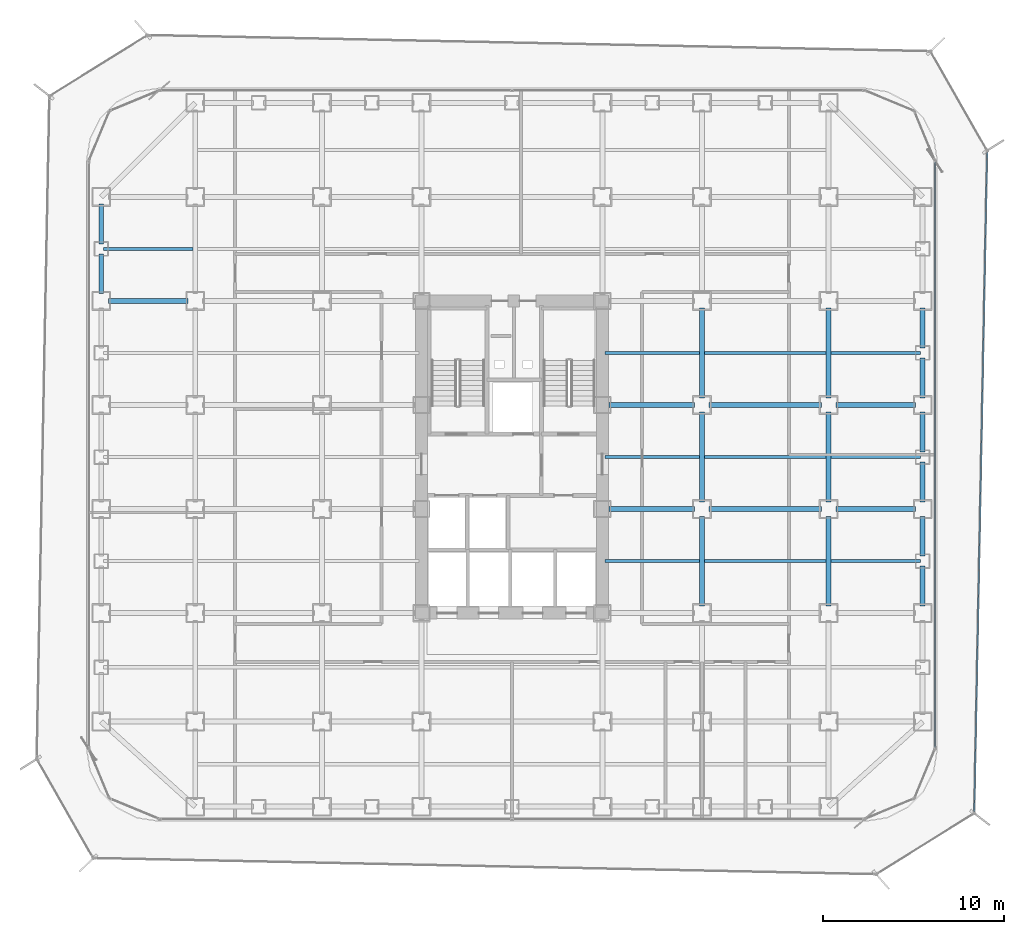
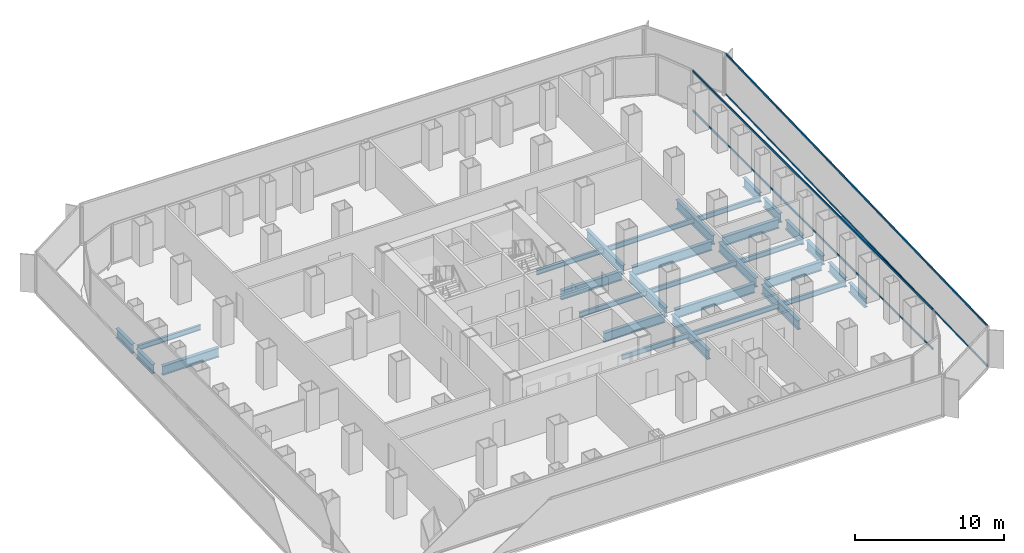
# One storey, part 9 of 21: 31 beams, 4 members, 2 elements without a shape of their own.
"""IFC4 building model written with IfcOpenShell, lengths in metres."""

from ifc_helpers import new_model, si_unit, direction, frame, origin, origin_2d, place, context, subcontext, project, spatial, hollow_rectangle, i_section, extrude, source, transform, mapped, material, layer, layer_set, material_profile, profile_set, type_object, element, aggregate, save


model = new_model("IFC4")

# Units and contexts
model_context = context("Model", 3, precision=1e-05, world=origin(), true_north=direction((0.0, 1.0)))
body_context = subcontext(model_context, "Body", "Model", "MODEL_VIEW")
ifc_project = project(units=[si_unit("LENGTHUNIT", "METRE"), si_unit("AREAUNIT", "SQUARE_METRE"), si_unit("VOLUMEUNIT", "CUBIC_METRE"), si_unit("PLANEANGLEUNIT", "RADIAN"), si_unit("MASSUNIT", "GRAM", prefix="KILO")], contexts=[model_context])

# Site, building, storey
site_placement = place(None, origin())
site = spatial("IfcSite", under=ifc_project, at=site_placement, CompositionType="ELEMENT")
building_placement = place(site_placement, origin())
building = spatial("IfcBuilding", under=site, at=building_placement, Name="Kolveth Station Tower", CompositionType="ELEMENT")
storey_placement = place(building_placement, frame((0.0, 0.0, 26.10009765625)))
storey = spatial("IfcBuildingStorey", under=building, at=storey_placement, Name="L06", CompositionType="ELEMENT", Elevation=26.10009765625)

# Beams
ifc_material_1 = material(Name="Steel S355", Category="steel")
ifc_material_profile_1 = material_profile(ifc_material_1, i_section(OverallWidth=0.26904296875, OverallDepth=0.77490234375, WebThickness=0.01708984375, FlangeThickness=0.0283203125, at=origin_2d()), Name="W760x220")
ifc_profile_set_1 = profile_set([ifc_material_profile_1], Name="Steel S355")
beam_type_1 = type_object("IfcBeamType", Name="Beam_SP1", PredefinedType="SPANDREL", material=ifc_profile_set_1)
shared_shape_1 = source(origin(), body_context, "Body", "SweptSolid", [
    extrude(i_section(OverallWidth=0.26904296875, OverallDepth=0.77490234375, WebThickness=0.01708984375, FlangeThickness=0.0283203125, at=origin_2d()), origin(), (0.0, 0.0, 1.0), 2.2001953125),
])
for number, where, z_axis, x_axis, name in (
    (1, (0.800048828125, 31.89990234375, -0.66748046875), (0.0, 1.0, 0.0), (-1.0, 0.0, 0.0), "L06 Perimeter Spandrel BM-L06-PW-10"),
    (2, (46.199951171875, 11.89990234375, -0.66748046875), (0.0, 1.0, 0.0), (-1.0, 0.0, 0.0), "L06 Perimeter Spandrel BM-L06-PE-3"),
    (3, (46.199951171875, 20.39990234375, -0.66748046875), (0.0, 1.0, 0.0), (-1.0, 0.0, 0.0), "L06 Perimeter Spandrel BM-L06-PE-6"),
    (4, (46.199951171875, 23.39990234375, -0.66748046875), (0.0, 1.0, 0.0), (-1.0, 0.0, 0.0), "L06 Perimeter Spandrel BM-L06-PE-7"),
):
    element("IfcBeam", number, at=place(storey_placement, frame(where, z_axis=z_axis, x_axis=x_axis)), inside=storey, type_object=beam_type_1, Name=name, PredefinedType="SPANDREL", context=body_context, shape_type="MappedRepresentation", body=[
        mapped(shared_shape_1, transform((0.0, 0.0, 0.0), x_axis=(1.0, 0.0, 0.0), y_axis=(0.0, 1.0, 0.0), z_axis=(0.0, 0.0, 1.0), scale=1.0)),
    ])
shared_shape_2 = source(origin(), body_context, "Body", "SweptSolid", [
    extrude(i_section(OverallWidth=0.26904296875, OverallDepth=0.77490234375, WebThickness=0.01708984375, FlangeThickness=0.0283203125, at=origin_2d()), origin(), (0.0, 0.0, 1.0), 2.190185546875),
])
for number, where, z_axis, x_axis, name in (
    (5, (0.800048828125, 29.14990234375, -0.66748046875), (0.0, 1.0, 0.0), (-1.0, 0.0, 0.0), "L06 Perimeter Spandrel BM-L06-PW-9"),
    (6, (46.199951171875, 14.659912109375, -0.66748046875), (0.0, 1.0, 0.0), (-1.0, 0.0, 0.0), "L06 Perimeter Spandrel BM-L06-PE-4"),
    (7, (46.199951171875, 17.64990234375, -0.66748046875), (0.0, 1.0, 0.0), (-1.0, 0.0, 0.0), "L06 Perimeter Spandrel BM-L06-PE-5"),
    (8, (46.199951171875, 26.159912109375, -0.66748046875), (0.0, 1.0, 0.0), (-1.0, 0.0, 0.0), "L06 Perimeter Spandrel BM-L06-PE-8"),
):
    element("IfcBeam", number, at=place(storey_placement, frame(where, z_axis=z_axis, x_axis=x_axis)), inside=storey, type_object=beam_type_1, Name=name, PredefinedType="SPANDREL", context=body_context, shape_type="MappedRepresentation", body=[
        mapped(shared_shape_2, transform((0.0, 0.0, 0.0), x_axis=(1.0, 0.0, 0.0), y_axis=(0.0, 1.0, 0.0), z_axis=(0.0, 0.0, 1.0), scale=1.0)),
    ])
ifc_material_profile_2 = material_profile(ifc_material_1, i_section(OverallWidth=0.26708984375, OverallDepth=0.76611328125, WebThickness=0.014892578125, FlangeThickness=0.023681640625, at=origin_2d()), Name="W760x185")
ifc_profile_set_2 = profile_set([ifc_material_profile_2], Name="Steel S355")
beam_type_2 = type_object("IfcBeamType", Name="Beam_B3", PredefinedType="BEAM", material=ifc_profile_set_2)
shared_shape_3 = source(origin(), body_context, "Body", "SweptSolid", [
    extrude(i_section(OverallWidth=0.26708984375, OverallDepth=0.76611328125, WebThickness=0.014892578125, FlangeThickness=0.023681640625, at=origin_2d()), origin(), (0.0, 0.0, 1.0), 4.400146484375),
])
for number, where, z_axis, x_axis, name in (
    (9, (41.39990234375, 17.25, -0.6630859375), (1.0, 0.0, 0.0), (0.0, 1.0, 0.0), "L06 Primary Girder BM-L06-GY172-7"),
    (10, (41.39990234375, 23.0, -0.6630859375), (1.0, 0.0, 0.0), (0.0, 1.0, 0.0), "L06 Primary Girder BM-L06-GY230-7"),
    (11, (1.199951171875, 28.75, -0.6630859375), (1.0, 0.0, 0.0), (0.0, 1.0, 0.0), "L06 Primary Girder BM-L06-GY287-1"),
):
    element("IfcBeam", number, at=place(storey_placement, frame(where, z_axis=z_axis, x_axis=x_axis)), inside=storey, type_object=beam_type_2, Name=name, PredefinedType="BEAM", context=body_context, shape_type="MappedRepresentation", body=[
        mapped(shared_shape_3, transform((0.0, 0.0, 0.0), x_axis=(1.0, 0.0, 0.0), y_axis=(0.0, 1.0, 0.0), z_axis=(0.0, 0.0, 1.0), scale=1.0)),
    ])
shared_shape_4 = source(origin(), body_context, "Body", "SweptSolid", [
    extrude(i_section(OverallWidth=0.26708984375, OverallDepth=0.76611328125, WebThickness=0.014892578125, FlangeThickness=0.023681640625, at=origin_2d()), origin(), (0.0, 0.0, 1.0), 6.2001953125),
])
for number, where, z_axis, x_axis, name in (
    (12, (34.39990234375, 17.25, -0.6630859375), (1.0, 0.0, 0.0), (0.0, 1.0, 0.0), "L06 Primary Girder BM-L06-GY172-6"),
    (13, (34.39990234375, 23.0, -0.6630859375), (1.0, 0.0, 0.0), (0.0, 1.0, 0.0), "L06 Primary Girder BM-L06-GY230-6"),
):
    element("IfcBeam", number, at=place(storey_placement, frame(where, z_axis=z_axis, x_axis=x_axis)), inside=storey, type_object=beam_type_2, Name=name, PredefinedType="BEAM", context=body_context, shape_type="MappedRepresentation", body=[
        mapped(shared_shape_4, transform((0.0, 0.0, 0.0), x_axis=(1.0, 0.0, 0.0), y_axis=(0.0, 1.0, 0.0), z_axis=(0.0, 0.0, 1.0), scale=1.0)),
    ])
shared_shape_5 = source(origin(), body_context, "Body", "SweptSolid", [
    extrude(i_section(OverallWidth=0.26708984375, OverallDepth=0.76611328125, WebThickness=0.014892578125, FlangeThickness=0.023681640625, at=origin_2d()), origin(), (0.0, 0.0, 1.0), 4.739990234375),
])
for number, where, z_axis, x_axis, name in (
    (14, (28.860107421875, 17.25, -0.6630859375), (1.0, 0.0, 0.0), (0.0, 1.0, 0.0), "L06 Primary Girder BM-L06-GY172-5"),
    (15, (28.860107421875, 23.0, -0.6630859375), (1.0, 0.0, 0.0), (0.0, 1.0, 0.0), "L06 Primary Girder BM-L06-GY230-5"),
):
    element("IfcBeam", number, at=place(storey_placement, frame(where, z_axis=z_axis, x_axis=x_axis)), inside=storey, type_object=beam_type_2, Name=name, PredefinedType="BEAM", context=body_context, shape_type="MappedRepresentation", body=[
        mapped(shared_shape_5, transform((0.0, 0.0, 0.0), x_axis=(1.0, 0.0, 0.0), y_axis=(0.0, 1.0, 0.0), z_axis=(0.0, 0.0, 1.0), scale=1.0)),
    ])
shared_shape_6 = source(origin(), body_context, "Body", "SweptSolid", [
    extrude(i_section(OverallWidth=0.26708984375, OverallDepth=0.76611328125, WebThickness=0.014892578125, FlangeThickness=0.023681640625, at=origin_2d()), origin(), (0.0, 0.0, 1.0), 4.9501953125),
])
for number, where, z_axis, x_axis, name in (
    (16, (34.0, 11.89990234375, -0.6630859375), (0.0, 1.0, 0.0), (-1.0, 0.0, 0.0), "L06 Primary Girder BM-L06-GX340-3"),
    (17, (34.0, 17.64990234375, -0.6630859375), (0.0, 1.0, 0.0), (-1.0, 0.0, 0.0), "L06 Primary Girder BM-L06-GX340-4"),
    (18, (34.0, 23.39990234375, -0.6630859375), (0.0, 1.0, 0.0), (-1.0, 0.0, 0.0), "L06 Primary Girder BM-L06-GX340-5"),
    (19, (41.0, 11.89990234375, -0.6630859375), (0.0, 1.0, 0.0), (-1.0, 0.0, 0.0), "L06 Primary Girder BM-L06-GX410-3"),
    (20, (41.0, 17.64990234375, -0.6630859375), (0.0, 1.0, 0.0), (-1.0, 0.0, 0.0), "L06 Primary Girder BM-L06-GX410-4"),
    (21, (41.0, 23.39990234375, -0.6630859375), (0.0, 1.0, 0.0), (-1.0, 0.0, 0.0), "L06 Primary Girder BM-L06-GX410-5"),
):
    element("IfcBeam", number, at=place(storey_placement, frame(where, z_axis=z_axis, x_axis=x_axis)), inside=storey, type_object=beam_type_2, Name=name, PredefinedType="BEAM", context=body_context, shape_type="MappedRepresentation", body=[
        mapped(shared_shape_6, transform((0.0, 0.0, 0.0), x_axis=(1.0, 0.0, 0.0), y_axis=(0.0, 1.0, 0.0), z_axis=(0.0, 0.0, 1.0), scale=1.0)),
    ])
ifc_material_profile_3 = material_profile(ifc_material_1, i_section(OverallWidth=0.177978515625, OverallDepth=0.406982421875, WebThickness=0.0078125, FlangeThickness=0.0126953125, at=origin_2d()), Name="W410x60")
ifc_profile_set_3 = profile_set([ifc_material_profile_3], Name="Steel S355")
beam_type_3 = type_object("IfcBeamType", Name="Beam_J1", PredefinedType="JOIST", material=ifc_profile_set_3)
shared_shape_7 = source(origin(), body_context, "Body", "SweptSolid", [
    extrude(i_section(OverallWidth=0.177978515625, OverallDepth=0.406982421875, WebThickness=0.0078125, FlangeThickness=0.0126953125, at=origin_2d()), origin(), (0.0, 0.0, 1.0), 4.935791015625),
])
for number, where, z_axis, x_axis, name in (
    (22, (0.9326171875, 31.625, -0.483642578125), (1.0, 0.0, 0.0), (0.0, 1.0, 0.0), "L06 Secondary Joist JST-L06-1-6"),
    (23, (41.131591796875, 14.375, -0.483642578125), (1.0, 0.0, 0.0), (0.0, 1.0, 0.0), "L06 Secondary Joist JST-L06-7-3"),
    (24, (41.131591796875, 20.125, -0.483642578125), (1.0, 0.0, 0.0), (0.0, 1.0, 0.0), "L06 Secondary Joist JST-L06-7-4"),
    (25, (41.131591796875, 25.875, -0.483642578125), (1.0, 0.0, 0.0), (0.0, 1.0, 0.0), "L06 Secondary Joist JST-L06-7-5"),
):
    element("IfcBeam", number, at=place(storey_placement, frame(where, z_axis=z_axis, x_axis=x_axis)), inside=storey, type_object=beam_type_3, Name=name, PredefinedType="JOIST", context=body_context, shape_type="MappedRepresentation", body=[
        mapped(shared_shape_7, transform((0.0, 0.0, 0.0), x_axis=(1.0, 0.0, 0.0), y_axis=(0.0, 1.0, 0.0), z_axis=(0.0, 0.0, 1.0), scale=1.0)),
    ])
shared_shape_8 = source(origin(), body_context, "Body", "SweptSolid", [
    extrude(i_section(OverallWidth=0.177978515625, OverallDepth=0.406982421875, WebThickness=0.0078125, FlangeThickness=0.0126953125, at=origin_2d()), origin(), (0.0, 0.0, 1.0), 6.73681640625),
])
for number, where, z_axis, x_axis, name in (
    (26, (34.131591796875, 14.375, -0.483642578125), (1.0, 0.0, 0.0), (0.0, 1.0, 0.0), "L06 Secondary Joist JST-L06-6-3"),
    (27, (34.131591796875, 20.125, -0.483642578125), (1.0, 0.0, 0.0), (0.0, 1.0, 0.0), "L06 Secondary Joist JST-L06-6-4"),
    (28, (34.131591796875, 25.875, -0.483642578125), (1.0, 0.0, 0.0), (0.0, 1.0, 0.0), "L06 Secondary Joist JST-L06-6-5"),
):
    element("IfcBeam", number, at=place(storey_placement, frame(where, z_axis=z_axis, x_axis=x_axis)), inside=storey, type_object=beam_type_3, Name=name, PredefinedType="JOIST", context=body_context, shape_type="MappedRepresentation", body=[
        mapped(shared_shape_8, transform((0.0, 0.0, 0.0), x_axis=(1.0, 0.0, 0.0), y_axis=(0.0, 1.0, 0.0), z_axis=(0.0, 0.0, 1.0), scale=1.0)),
    ])
shared_shape_9 = source(origin(), body_context, "Body", "SweptSolid", [
    extrude(i_section(OverallWidth=0.177978515625, OverallDepth=0.406982421875, WebThickness=0.0078125, FlangeThickness=0.0126953125, at=origin_2d()), origin(), (0.0, 0.0, 1.0), 5.23681640625),
])
for number, where, z_axis, x_axis, name in (
    (29, (28.631591796875, 14.375, -0.483642578125), (1.0, 0.0, 0.0), (0.0, 1.0, 0.0), "L06 Secondary Joist JST-L06-5-3"),
    (30, (28.631591796875, 20.125, -0.483642578125), (1.0, 0.0, 0.0), (0.0, 1.0, 0.0), "L06 Secondary Joist JST-L06-5-4"),
    (31, (28.631591796875, 25.875, -0.483642578125), (1.0, 0.0, 0.0), (0.0, 1.0, 0.0), "L06 Secondary Joist JST-L06-5-5"),
):
    element("IfcBeam", number, at=place(storey_placement, frame(where, z_axis=z_axis, x_axis=x_axis)), inside=storey, type_object=beam_type_3, Name=name, PredefinedType="JOIST", context=body_context, shape_type="MappedRepresentation", body=[
        mapped(shared_shape_9, transform((0.0, 0.0, 0.0), x_axis=(1.0, 0.0, 0.0), y_axis=(0.0, 1.0, 0.0), z_axis=(0.0, 0.0, 1.0), scale=1.0)),
    ])

# Curtain wall, members
ifc_material_2 = material(Name="Aluminium 6063-T6 and low-E dark glass", Category="aluminium")
ifc_layer_1 = layer(ifc_material_2, 0.179931640625)
ifc_layer_set_1 = layer_set([ifc_layer_1], Name="Aluminium 6063-T6 and low-E dark glass")
curtain_wall_type_1 = type_object("IfcCurtainWallType", Name="CurtainWall_CW-Z1", PredefinedType="NOTDEFINED", material=ifc_layer_set_1)
curtain_wall_1_placement = place(storey_placement, origin())
curtain_wall_1 = element("IfcCurtainWall", 32, at=curtain_wall_1_placement, inside=storey, type_object=curtain_wall_type_1, Name="L06 Inner Thermal Curtain Wall 3", PredefinedType="NOTDEFINED")
ifc_material_3 = material(Name="Black anodized aluminium 6063-T6", Category="aluminium")
ifc_material_profile_4 = material_profile(ifc_material_3, hollow_rectangle(XDim=0.074951171875, YDim=0.159912109375, WallThickness=0.0048828125, at=origin_2d()), Name="ALU-75x160x5")
ifc_profile_set_4 = profile_set([ifc_material_profile_4], Name="Black anodized aluminium 6063-T6")
member_type_1 = type_object("IfcMemberType", Name="Transom_TR1", PredefinedType="USERDEFINED", material=ifc_profile_set_4)
shared_shape_10 = source(origin(), body_context, "Body", "SweptSolid", [
    extrude(hollow_rectangle(XDim=0.074951171875, YDim=0.159912109375, WallThickness=0.0048828125, at=origin_2d()), origin(), (0.0, 0.0, 1.0), 32.35009765625),
])
member_1_placement = place(storey_placement, frame((46.8798828125, 4.074951171875, 0.037353515625), z_axis=(0.0, 1.0, 0.0), x_axis=(-1.0, 0.0, 0.0)))
member_1 = element("IfcMember", 33, at=member_1_placement, type_object=member_type_1, Name="CW-Z1 transom 1.1", ObjectType="TRANSOM", PredefinedType="USERDEFINED", context=body_context, shape_type="MappedRepresentation", body=[
    mapped(shared_shape_10, transform((0.0, 0.0, 0.0), x_axis=(1.0, 0.0, 0.0), y_axis=(0.0, 1.0, 0.0), z_axis=(0.0, 0.0, 1.0), scale=1.0)),
])
member_2_placement = place(storey_placement, frame((46.8798828125, 4.074951171875, 3.282470703125), z_axis=(0.0, 1.0, 0.0), x_axis=(-1.0, 0.0, 0.0)))
member_2 = element("IfcMember", 34, at=member_2_placement, type_object=member_type_1, Name="CW-Z1 transom 1.2", ObjectType="TRANSOM", PredefinedType="USERDEFINED", context=body_context, shape_type="MappedRepresentation", body=[
    mapped(shared_shape_10, transform((0.0, 0.0, 0.0), x_axis=(1.0, 0.0, 0.0), y_axis=(0.0, 1.0, 0.0), z_axis=(0.0, 0.0, 1.0), scale=1.0)),
])
aggregate(curtain_wall_1, [member_1, member_2])

ifc_material_4 = material(Name="Black anodized aluminium 6063-T6 and dark solar glass", Category="aluminium")
ifc_layer_2 = layer(ifc_material_4, 0.159912109375)
ifc_layer_set_2 = layer_set([ifc_layer_2], Name="Black anodized aluminium 6063-T6 and dark solar glass")
curtain_wall_type_2 = type_object("IfcCurtainWallType", Name="OUTER SKIN CW-OS", PredefinedType="NOTDEFINED", material=ifc_layer_set_2)
curtain_wall_2_placement = place(storey_placement, origin())
curtain_wall_2 = element("IfcCurtainWall", 35, at=curtain_wall_2_placement, inside=storey, type_object=curtain_wall_type_2, Name="L06 Outer Ventilated Skin Curtain Wall 2", PredefinedType="NOTDEFINED")
ifc_material_profile_5 = material_profile(ifc_material_3, hollow_rectangle(XDim=0.080078125, YDim=0.14990234375, WallThickness=0.0048828125, at=origin_2d()), Name="ALU-80x150x5")
ifc_profile_set_5 = profile_set([ifc_material_profile_5], Name="Black anodized aluminium 6063-T6")
member_type_2 = type_object("IfcMemberType", Name="Transom_TR-OS", PredefinedType="USERDEFINED", material=ifc_profile_set_5)
shared_shape_11 = source(origin(), body_context, "Body", "SweptSolid", [
    extrude(hollow_rectangle(XDim=0.080078125, YDim=0.14990234375, WallThickness=0.0048828125, at=origin_2d()), origin(), (0.0, 0.0, 1.0), 36.44775390625),
])
member_3_placement = place(storey_placement, frame((49.053466796875, 0.525634765625, 0.039794921875), z_axis=(0.019465432606, 0.999810530517, 0.0), x_axis=(-0.999810530517, 0.019465432606, 0.0)))
member_3 = element("IfcMember", 36, at=member_3_placement, type_object=member_type_2, Name="CW-OS transom 1.1", ObjectType="TRANSOM", PredefinedType="USERDEFINED", context=body_context, shape_type="MappedRepresentation", body=[
    mapped(shared_shape_11, transform((0.0, 0.0, 0.0), x_axis=(1.0, 0.0, 0.0), y_axis=(0.0, 1.0, 0.0), z_axis=(0.0, 0.0, 1.0), scale=1.0)),
])
member_4_placement = place(storey_placement, frame((49.053466796875, 0.525634765625, 3.349853515625), z_axis=(0.019465432606, 0.999810530517, 0.0), x_axis=(-0.999810530517, 0.019465432606, 0.0)))
member_4 = element("IfcMember", 37, at=member_4_placement, type_object=member_type_2, Name="CW-OS transom 1.2", ObjectType="TRANSOM", PredefinedType="USERDEFINED", context=body_context, shape_type="MappedRepresentation", body=[
    mapped(shared_shape_11, transform((0.0, 0.0, 0.0), x_axis=(1.0, 0.0, 0.0), y_axis=(0.0, 1.0, 0.0), z_axis=(0.0, 0.0, 1.0), scale=1.0)),
])
aggregate(curtain_wall_2, [member_3, member_4])

save(model, "model.ifc")
